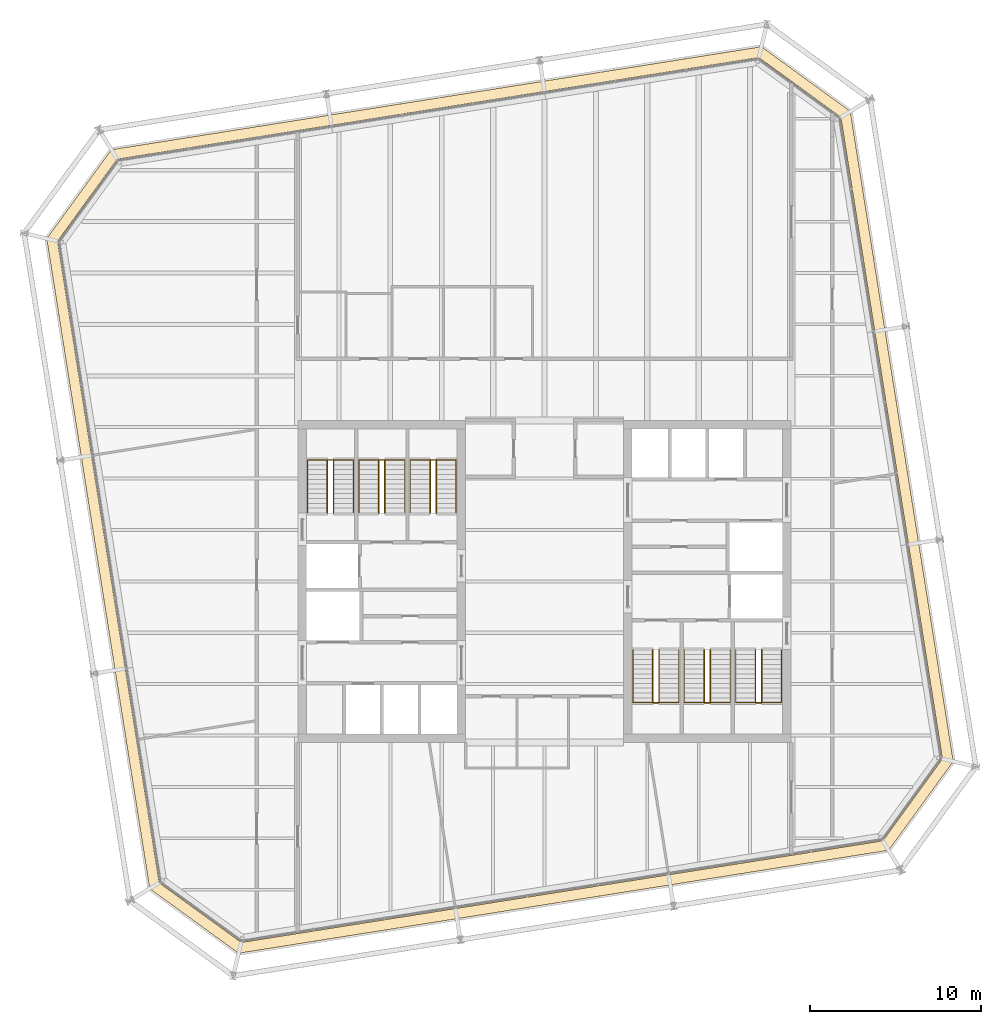
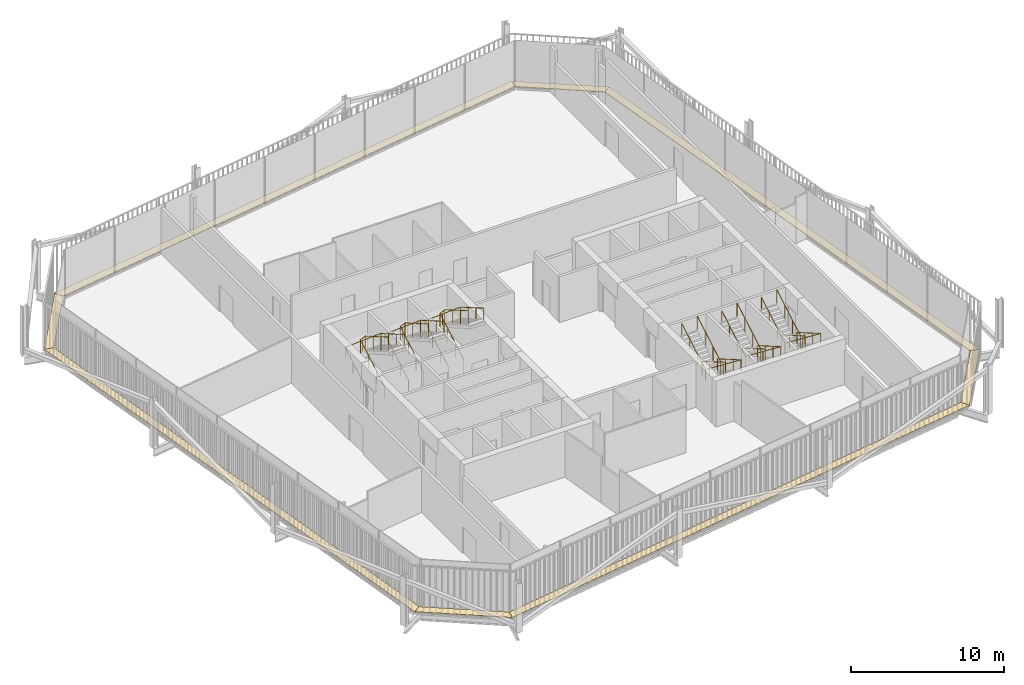
# One storey, part 21 of 21: 12 railings, 8 coverings.
"""IFC4 building model written with IfcOpenShell, lengths in metres."""

import ifcopenshell
import ifcopenshell.guid

model = None  # the IFC model being written
_history = None  # IfcOwnerHistory: only IFC2X3 demands one
_inside = {}  # id of a spatial element -> (the spatial element, [elements in it])
_under = {}  # id of a project, library or spatial element -> (it, [spatial elements below it])
_declared = {}  # id of a project -> (the project, [libraries it declares])
_typed = {}  # id of a type object -> (the type object, [elements of that type])
_made_of = {}  # id of a material, layer set ... -> (it, [elements and type objects made of it])


def new_model(schema):
    """Start an empty IFC model of exactly this schema.

    Asked for "IFC4X3", IfcOpenShell would pick the latest addendum, in which some entities
    have other attributes; the version numbers below select the first issue.
    IFC2X3 requires an IfcOwnerHistory on every rooted entity: one is made here for all.
    """
    global model, _history
    if schema == "IFC4X3":
        model = ifcopenshell.file(schema_version=(4, 3, 0, 0))
    else:
        model = ifcopenshell.file(schema=schema)
    _inside.clear()
    _under.clear()
    _declared.clear()
    _typed.clear()
    _made_of.clear()
    _history = None
    if model.schema == "IFC2X3":
        org = make("IfcOrganization", Name="unknown")
        user = make(
            "IfcPersonAndOrganization",
            ThePerson=make("IfcPerson", FamilyName="unknown"),
            TheOrganization=org,
        )
        app = make(
            "IfcApplication",
            ApplicationDeveloper=org,
            Version="unknown",
            ApplicationFullName="unknown",
            ApplicationIdentifier="unknown",
        )
        _history = make(
            "IfcOwnerHistory",
            OwningUser=user,
            OwningApplication=app,
            ChangeAction="ADDED",
            CreationDate=0,
        )
    return model


def make(cls, **values):
    """One entity of the class cls with the attributes given. An attribute that is None is left unset."""
    return model.create_entity(
        cls, **{name: value for name, value in values.items() if value is not None}
    )


def rooted(cls, **values):
    """An entity with a GlobalId (a new one), such as an element, a storey or a relation."""
    return make(cls, GlobalId=ifcopenshell.guid.new(), OwnerHistory=_history, **values)


def si_unit(unit_type, name, prefix=None):
    """IfcSIUnit, for example si_unit("LENGTHUNIT", "METRE", prefix="MILLI")."""
    return make("IfcSIUnit", UnitType=unit_type, Prefix=prefix, Name=name)


def assignment(units):
    """IfcUnitAssignment: the units of a project."""
    return None if units is None else make("IfcUnitAssignment", Units=units)


def point(xyz):
    """IfcCartesianPoint."""
    return None if xyz is None else make("IfcCartesianPoint", Coordinates=xyz)


def direction(xyz):
    """IfcDirection."""
    return None if xyz is None else make("IfcDirection", DirectionRatios=xyz)


def frame(location, z_axis=None, x_axis=None):
    """IfcAxis2Placement3D, a coordinate frame: its origin and axes. An axis left out is left unset."""
    return make(
        "IfcAxis2Placement3D",
        Location=point(location),
        Axis=direction(z_axis),
        RefDirection=direction(x_axis),
    )


def frame_2d(location, x_axis=None):
    """IfcAxis2Placement2D, a coordinate frame in the plane: its origin and x axis."""
    return make(
        "IfcAxis2Placement2D", Location=point(location), RefDirection=direction(x_axis)
    )


def origin():
    """The frame at (0, 0, 0) with its axes left unset."""
    return frame((0.0, 0.0, 0.0))


def origin_2d():
    """The frame at (0, 0) in the plane with its x axis left unset."""
    return frame_2d((0.0, 0.0))


def place(relative_to, where):
    """IfcLocalPlacement: puts the frame where relative to a parent placement (None: the world)."""
    return make(
        "IfcLocalPlacement", PlacementRelTo=relative_to, RelativePlacement=where
    )


def context(
    kind, dimensions, precision=None, world=None, true_north=None, identifier=None
):
    """IfcGeometricRepresentationContext, for example the 3D "Model" context."""
    return make(
        "IfcGeometricRepresentationContext",
        ContextIdentifier=identifier,
        ContextType=kind,
        CoordinateSpaceDimension=dimensions,
        Precision=precision,
        WorldCoordinateSystem=world,
        TrueNorth=true_north,
    )


def subcontext(parent, identifier, kind, view, scale=None):
    """IfcGeometricRepresentationSubContext, for example "Body" below "Model"."""
    return make(
        "IfcGeometricRepresentationSubContext",
        ContextIdentifier=identifier,
        ContextType=kind,
        ParentContext=parent,
        TargetScale=scale,
        TargetView=view,
    )


def project(units=None, contexts=None):
    """IfcProject with its units and contexts."""
    return rooted(
        "IfcProject",
        Name="project",
        RepresentationContexts=contexts,
        UnitsInContext=assignment(units),
    )


def spatial(cls, under=None, at=None, **own):
    """A site, building, storey or space (cls), placed at a placement, below another one or the project."""
    s = rooted(cls, ObjectPlacement=at, **own)
    if under is not None:
        _under.setdefault(under.id(), (under, []))[1].append(s)
    return s


def polyline(points):
    """IfcPolyline through the points."""
    return make("IfcPolyline", Points=[point(p) for p in points])


def profile(cls, at=None, kind="AREA", **sizes):
    """A parametric profile (cls). Its sizes go by their IFC names, for example OverallWidth=200.0."""
    return make(cls, ProfileType=kind, Position=at, **sizes)


def circle(**sizes):
    """IfcCircleProfileDef."""
    return profile("IfcCircleProfileDef", **sizes)


def outline(outer, holes=None, kind="AREA"):
    """IfcArbitraryClosedProfileDef: a profile drawn as a closed curve; with holes, ...WithVoids."""
    if holes is None:
        return make("IfcArbitraryClosedProfileDef", ProfileType=kind, OuterCurve=outer)
    return make(
        "IfcArbitraryProfileDefWithVoids",
        ProfileType=kind,
        OuterCurve=outer,
        InnerCurves=holes,
    )


def extrude(swept, where, along, depth):
    """IfcExtrudedAreaSolid: the profile swept, set in the frame where, extruded along a direction by depth."""
    return make(
        "IfcExtrudedAreaSolid",
        SweptArea=swept,
        Position=where,
        ExtrudedDirection=direction(along),
        Depth=depth,
    )


def shape(context_of_items, identifier, shape_type, items):
    """IfcShapeRepresentation: the items that make up one representation, for example the "Body"."""
    return make(
        "IfcShapeRepresentation",
        ContextOfItems=context_of_items,
        RepresentationIdentifier=identifier,
        RepresentationType=shape_type,
        Items=items,
    )


def material(Name=None, Category=None):
    """IfcMaterial."""
    return make("IfcMaterial", Name=Name, Category=Category)


def layer(
    of_material, thickness, ventilated=None, Name=None, Category=None, Priority=None
):
    """IfcMaterialLayer: one layer of a wall or slab, of a material (None: an air gap)."""
    return make(
        "IfcMaterialLayer",
        Material=of_material,
        LayerThickness=thickness,
        IsVentilated=ventilated,
        Name=Name,
        Category=Category,
        Priority=Priority,
    )


def layer_set(layers, Name=None):
    """IfcMaterialLayerSet."""
    return make("IfcMaterialLayerSet", MaterialLayers=layers, LayerSetName=Name)


def made_of(thing, what):
    """Note that an element or type object is made of a material, layer set ...; save() writes the relation."""
    if what is not None:
        _made_of.setdefault(what.id(), (what, []))[1].append(thing)
    return thing


def type_object(cls, material=None, **own):
    """A type object (cls), such as IfcWallType, which elements share."""
    return made_of(rooted(cls, **own), material)


def element(
    cls,
    number,
    at=None,
    inside=None,
    cuts=None,
    type_object=None,
    material=None,
    context=None,
    identifier="Body",
    shape_type=None,
    held_by="IfcProductDefinitionShape",
    body=None,
    shapes=None,
    **own,
):
    """One element of the class cls, such as IfcWall. Its Tag is "e" and its number.

    at: its placement. inside: the storey or other place that contains it. cuts: it is an
    opening in that element (IfcRelVoidsElement). A single representation is given by context,
    identifier, shape_type and body (its items); several are given by shapes. held_by: the class
    of the entity that holds the representations. save() writes the other relations.
    """
    e = rooted(cls, Tag="e%d" % number, ObjectPlacement=at, **own)
    if body is not None:
        shapes = [shape(context, identifier, shape_type, body)]
    if shapes is not None:
        e.Representation = make(held_by, Representations=shapes)
    if inside is not None:
        _inside.setdefault(inside.id(), (inside, []))[1].append(e)
    if cuts is not None:
        rooted(
            "IfcRelVoidsElement", RelatingBuildingElement=cuts, RelatedOpeningElement=e
        )
    if type_object is not None:
        _typed.setdefault(type_object.id(), (type_object, []))[1].append(e)
    return made_of(e, material)


def aggregate(whole, parts):
    """IfcRelAggregates: a whole, such as a stair, and the parts it consists of."""
    return rooted("IfcRelAggregates", RelatingObject=whole, RelatedObjects=parts)


def save(model, path):
    """Write the relations noted so far, then the file.

    IfcRelAggregates (storeys below a building ...), IfcRelContainedInSpatialStructure (elements
    in a storey), IfcRelDefinesByType, IfcRelAssociatesMaterial and IfcRelDeclares: one each for
    every whole, place, type object, material and project.
    """
    for whole, parts in _under.values():
        aggregate(whole, parts)
    for where, things in _inside.values():
        rooted(
            "IfcRelContainedInSpatialStructure",
            RelatedElements=things,
            RelatingStructure=where,
        )
    for kind, things in _typed.values():
        rooted("IfcRelDefinesByType", RelatedObjects=things, RelatingType=kind)
    for what, things in _made_of.values():
        rooted("IfcRelAssociatesMaterial", RelatedObjects=things, RelatingMaterial=what)
    for by, libraries in _declared.values():
        rooted("IfcRelDeclares", RelatingContext=by, RelatedDefinitions=libraries)
    model.write(path)


model = new_model("IFC4")

# Units and contexts
model_context = context("Model", 3, precision=1e-05, world=origin(), true_north=direction((0.0, 1.0)))
body_context = subcontext(model_context, "Body", "Model", "MODEL_VIEW")
ifc_project = project(units=[si_unit("LENGTHUNIT", "METRE"), si_unit("AREAUNIT", "SQUARE_METRE"), si_unit("VOLUMEUNIT", "CUBIC_METRE"), si_unit("PLANEANGLEUNIT", "RADIAN"), si_unit("MASSUNIT", "GRAM", prefix="KILO")], contexts=[model_context])

# Site, building, storey
site_placement = place(None, origin())
site = spatial("IfcSite", under=ifc_project, at=site_placement, CompositionType="ELEMENT")
building_placement = place(site_placement, origin())
building = spatial("IfcBuilding", under=site, at=building_placement, Name="Millrace Tower", CompositionType="ELEMENT")
storey_placement = place(building_placement, frame((0.0, 0.0, 263.0)))
storey = spatial("IfcBuildingStorey", under=building, at=storey_placement, Name="L60", CompositionType="ELEMENT", Elevation=263.0)

# Coverings
ifc_material_1 = material(Name="Steel ASTM A36", Category="steel")
ifc_layer = layer(ifc_material_1, 0.050048828125)
ifc_layer_set = layer_set([ifc_layer], Name="Steel ASTM A36")
covering_type = type_object("IfcCoveringType", Name="CAVITY CATWALK steel grating", PredefinedType="FLOORING", material=ifc_layer_set)
placement = place(storey_placement, frame((0.0, 0.0, 0.10009765625)))
element("IfcCovering", 1, at=placement, inside=storey, type_object=covering_type, Name="Cavity catwalk grating D-F01 L60 1", PredefinedType="FLOORING", context=body_context, shape_type="SweptSolid", body=[
    extrude(outline(polyline([(-23.052490234375, -17.939453125), (-17.85888671875, -21.712890625), (-17.707275390625, -21.081298828125), (-22.49853515625, -17.60009765625), (-23.052490234375, -17.939453125)])), origin(), (0.0, 0.0, 1.0), 0.0498046875),
])
element("IfcCovering", 2, at=placement, inside=storey, type_object=covering_type, Name="Cavity catwalk grating D-F02 L60 1", PredefinedType="FLOORING", context=body_context, shape_type="SweptSolid", body=[
    extrude(outline(polyline([(-17.85888671875, -21.712890625), (20.08935546875, -15.702392578125), (19.750244140625, -15.148681640625), (-17.707275390625, -21.081298828125), (-17.85888671875, -21.712890625)])), origin(), (0.0, 0.0, 1.0), 0.0498046875),
])
element("IfcCovering", 3, at=placement, inside=storey, type_object=covering_type, Name="Cavity catwalk grating D-F03 L60 1", PredefinedType="FLOORING", context=body_context, shape_type="SweptSolid", body=[
    extrude(outline(polyline([(20.08935546875, -15.702392578125), (23.86279296875, -10.5087890625), (23.231201171875, -10.357177734375), (19.750244140625, -15.148681640625), (20.08935546875, -15.702392578125)])), origin(), (0.0, 0.0, 1.0), 0.0498046875),
])
element("IfcCovering", 4, at=placement, inside=storey, type_object=covering_type, Name="Cavity catwalk grating D-F04 L60 1", PredefinedType="FLOORING", context=body_context, shape_type="SweptSolid", body=[
    extrude(outline(polyline([(23.86279296875, -10.5087890625), (17.852294921875, 27.439453125), (17.298583984375, 27.10009765625), (23.231201171875, -10.357177734375), (23.86279296875, -10.5087890625)])), origin(), (0.0, 0.0, 1.0), 0.0498046875),
])
element("IfcCovering", 5, at=placement, inside=storey, type_object=covering_type, Name="Cavity catwalk grating D-F05 L60 1", PredefinedType="FLOORING", context=body_context, shape_type="SweptSolid", body=[
    extrude(outline(polyline([(17.852294921875, 27.439453125), (12.658935546875, 31.212890625), (12.50732421875, 30.581298828125), (17.298583984375, 27.10009765625), (17.852294921875, 27.439453125)])), origin(), (0.0, 0.0, 1.0), 0.0498046875),
])
element("IfcCovering", 6, at=placement, inside=storey, type_object=covering_type, Name="Cavity catwalk grating D-F06 L60 1", PredefinedType="FLOORING", context=body_context, shape_type="SweptSolid", body=[
    extrude(outline(polyline([(12.658935546875, 31.212890625), (-25.28955078125, 25.202392578125), (-24.9501953125, 24.648681640625), (12.50732421875, 30.581298828125), (12.658935546875, 31.212890625)])), origin(), (0.0, 0.0, 1.0), 0.0498046875),
])
element("IfcCovering", 7, at=placement, inside=storey, type_object=covering_type, Name="Cavity catwalk grating D-F07 L60 1", PredefinedType="FLOORING", context=body_context, shape_type="SweptSolid", body=[
    extrude(outline(polyline([(-25.28955078125, 25.202392578125), (-29.062744140625, 20.0087890625), (-28.431396484375, 19.857177734375), (-24.9501953125, 24.648681640625), (-25.28955078125, 25.202392578125)])), origin(), (0.0, 0.0, 1.0), 0.0498046875),
])
element("IfcCovering", 8, at=placement, inside=storey, type_object=covering_type, Name="Cavity catwalk grating D-F08 L60 1", PredefinedType="FLOORING", context=body_context, shape_type="SweptSolid", body=[
    extrude(outline(polyline([(-29.062744140625, 20.0087890625), (-23.052490234375, -17.939453125), (-22.49853515625, -17.60009765625), (-28.431396484375, 19.857177734375), (-29.062744140625, 20.0087890625)])), origin(), (0.0, 0.0, 1.0), 0.0498046875),
])

# Railings
ifc_material_2 = material(Name="Stainless steel ASTM A240 type 316", Category="steel")
railing_type_1 = type_object("IfcRailingType", Name="Stair guard 1100", PredefinedType="GUARDRAIL", material=ifc_material_2)
for number, where, name in (
    (9, (-12.679931640625, 4.0, 0.16259765625), "Stair guard 1 W L60"),
    (10, (-9.679931640625, 4.0, 0.16259765625), "Stair guard 2 W L60"),
    (11, (-6.679931640625, 4.0, 0.16259765625), "Stair guard 3 W L60"),
):
    element("IfcRailing", number, at=place(storey_placement, frame(where)), inside=storey, type_object=railing_type_1, Name=name, PredefinedType="GUARDRAIL", context=body_context, shape_type="SweptSolid", body=[
        extrude(circle(Radius=0.02392578125, at=origin_2d()), frame((0.0, 0.0, 1.076171875), z_axis=(0.0, 0.864920483161, 0.501908913857), x_axis=(-1.0, 0.0, 0.0)), (0.0, 0.0, 1.0), 3.56103515625),
        extrude(circle(Radius=0.02392578125, at=origin_2d()), frame((0.0, 3.080078125, 2.86328125), z_axis=(0.911295775139, 0.0, 0.411752365158), x_axis=(0.0, 1.0, 0.0)), (0.0, 0.0, 1.0), 0.394775390625),
        extrude(circle(Radius=0.02392578125, at=origin_2d()), frame((0.35986328125, 3.080078125, 3.02587890625), z_axis=(0.0, -0.864920483161, 0.501908913857), x_axis=(1.0, 0.0, 0.0)), (0.0, 0.0, 1.0), 3.56103515625),
        extrude(circle(Radius=0.02099609375, at=origin_2d()), origin(), (0.0, 0.0, 1.0), 1.052001953125),
        extrude(circle(Radius=0.02099609375, at=origin_2d()), frame((0.0, 1.026611328125, 0.595703125)), (0.0, 0.0, 1.0), 1.052001953125),
        extrude(circle(Radius=0.02099609375, at=origin_2d()), frame((0.0, 2.053466796875, 1.191650390625)), (0.0, 0.0, 1.0), 1.052001953125),
        extrude(circle(Radius=0.02099609375, at=origin_2d()), frame((0.0, 3.080078125, 1.787353515625)), (0.0, 0.0, 1.0), 1.052001953125),
        extrude(circle(Radius=0.02099609375, at=origin_2d()), frame((0.35986328125, 3.080078125, 1.949951171875)), (0.0, 0.0, 1.0), 1.052001953125),
        extrude(circle(Radius=0.02099609375, at=origin_2d()), frame((0.35986328125, 2.053466796875, 2.545654296875)), (0.0, 0.0, 1.0), 1.052001953125),
        extrude(circle(Radius=0.02099609375, at=origin_2d()), frame((0.35986328125, 1.026611328125, 3.1416015625)), (0.0, 0.0, 1.0), 1.052001953125),
        extrude(circle(Radius=0.02099609375, at=origin_2d()), frame((0.35986328125, 0.0, 3.7373046875)), (0.0, 0.0, 1.0), 1.052001953125),
    ])
for number, where, name in (
    (12, (12.679931640625, -4.0, 0.16259765625), "Stair guard 1 E L60"),
    (13, (9.679931640625, -4.0, 0.16259765625), "Stair guard 2 E L60"),
    (14, (6.679931640625, -4.0, 0.16259765625), "Stair guard 3 E L60"),
):
    element("IfcRailing", number, at=place(storey_placement, frame(where)), inside=storey, type_object=railing_type_1, Name=name, PredefinedType="GUARDRAIL", context=body_context, shape_type="SweptSolid", body=[
        extrude(circle(Radius=0.02392578125, at=origin_2d()), frame((0.0, 0.0, 1.076171875), z_axis=(0.0, -0.864920483161, 0.501908913857), x_axis=(1.0, 0.0, 0.0)), (0.0, 0.0, 1.0), 3.56103515625),
        extrude(circle(Radius=0.02392578125, at=origin_2d()), frame((0.0, -3.080078125, 2.86328125), z_axis=(-0.911295775139, 0.0, 0.411752365158), x_axis=(0.0, -1.0, 0.0)), (0.0, 0.0, 1.0), 0.394775390625),
        extrude(circle(Radius=0.02392578125, at=origin_2d()), frame((-0.35986328125, -3.080078125, 3.02587890625), z_axis=(0.0, 0.864920483161, 0.501908913857), x_axis=(-1.0, 0.0, 0.0)), (0.0, 0.0, 1.0), 3.56103515625),
        extrude(circle(Radius=0.02099609375, at=origin_2d()), origin(), (0.0, 0.0, 1.0), 1.052001953125),
        extrude(circle(Radius=0.02099609375, at=origin_2d()), frame((0.0, -1.026611328125, 0.595703125)), (0.0, 0.0, 1.0), 1.052001953125),
        extrude(circle(Radius=0.02099609375, at=origin_2d()), frame((0.0, -2.053466796875, 1.191650390625)), (0.0, 0.0, 1.0), 1.052001953125),
        extrude(circle(Radius=0.02099609375, at=origin_2d()), frame((0.0, -3.080078125, 1.787353515625)), (0.0, 0.0, 1.0), 1.052001953125),
        extrude(circle(Radius=0.02099609375, at=origin_2d()), frame((-0.35986328125, -3.080078125, 1.949951171875)), (0.0, 0.0, 1.0), 1.052001953125),
        extrude(circle(Radius=0.02099609375, at=origin_2d()), frame((-0.35986328125, -2.053466796875, 2.545654296875)), (0.0, 0.0, 1.0), 1.052001953125),
        extrude(circle(Radius=0.02099609375, at=origin_2d()), frame((-0.35986328125, -1.026611328125, 3.1416015625)), (0.0, 0.0, 1.0), 1.052001953125),
        extrude(circle(Radius=0.02099609375, at=origin_2d()), frame((-0.35986328125, 0.0, 3.7373046875)), (0.0, 0.0, 1.0), 1.052001953125),
    ])
ifc_material_3 = material(Name="Stainless steel ASTM A240 type 316", Category="steel")
railing_type_2 = type_object("IfcRailingType", Name="Stair handrail 900", PredefinedType="HANDRAIL", material=ifc_material_3)
railing_1_placement = place(storey_placement, frame((-13.840087890625, 4.0, 0.16259765625)))
element("IfcRailing", 15, at=railing_1_placement, inside=storey, type_object=railing_type_2, Name="Stair handrail 1 W L60", PredefinedType="HANDRAIL", context=body_context, shape_type="SweptSolid", body=[
    extrude(circle(Radius=0.02392578125, at=origin_2d()), frame((0.0, 0.0, 0.8759765625), z_axis=(0.0, 0.864920483161, 0.501908913857), x_axis=(-1.0, 0.0, 0.0)), (0.0, 0.0, 1.0), 3.56103515625),
    extrude(circle(Radius=0.02392578125, at=origin_2d()), frame((0.0, 3.080078125, 2.6630859375), z_axis=(0.998164834547, 0.0, 0.060555454528), x_axis=(0.0, 1.0, 0.0)), (0.0, 0.0, 1.0), 2.68505859375),
    extrude(circle(Radius=0.02392578125, at=origin_2d()), frame((2.68017578125, 3.080078125, 2.82568359375), z_axis=(0.0, -0.864920483161, 0.501908913857), x_axis=(1.0, 0.0, 0.0)), (0.0, 0.0, 1.0), 3.56103515625),
    extrude(circle(Radius=0.02099609375, at=origin_2d()), origin(), (0.0, 0.0, 1.0), 0.851806640625),
    extrude(circle(Radius=0.02099609375, at=origin_2d()), frame((0.0, 1.026611328125, 0.595703125)), (0.0, 0.0, 1.0), 0.851806640625),
    extrude(circle(Radius=0.02099609375, at=origin_2d()), frame((0.0, 2.053466796875, 1.191650390625)), (0.0, 0.0, 1.0), 0.851806640625),
    extrude(circle(Radius=0.02099609375, at=origin_2d()), frame((0.0, 3.080078125, 1.787353515625)), (0.0, 0.0, 1.0), 0.851806640625),
    extrude(circle(Radius=0.02099609375, at=origin_2d()), frame((1.340087890625, 3.080078125, 1.86865234375)), (0.0, 0.0, 1.0), 0.851806640625),
    extrude(circle(Radius=0.02099609375, at=origin_2d()), frame((2.68017578125, 3.080078125, 1.949951171875)), (0.0, 0.0, 1.0), 0.851806640625),
    extrude(circle(Radius=0.02099609375, at=origin_2d()), frame((2.68017578125, 2.053466796875, 2.545654296875)), (0.0, 0.0, 1.0), 0.851806640625),
    extrude(circle(Radius=0.02099609375, at=origin_2d()), frame((2.68017578125, 1.026611328125, 3.1416015625)), (0.0, 0.0, 1.0), 0.851806640625),
    extrude(circle(Radius=0.02099609375, at=origin_2d()), frame((2.68017578125, 0.0, 3.7373046875)), (0.0, 0.0, 1.0), 0.851806640625),
])
railing_2_placement = place(storey_placement, frame((-10.840087890625, 4.0, 0.16259765625)))
element("IfcRailing", 16, at=railing_2_placement, inside=storey, type_object=railing_type_2, Name="Stair handrail 2 W L60", PredefinedType="HANDRAIL", context=body_context, shape_type="SweptSolid", body=[
    extrude(circle(Radius=0.02392578125, at=origin_2d()), frame((0.0, 0.0, 0.8759765625), z_axis=(0.0, 0.864920483161, 0.501908913857), x_axis=(-1.0, 0.0, 0.0)), (0.0, 0.0, 1.0), 3.56103515625),
    extrude(circle(Radius=0.02392578125, at=origin_2d()), frame((0.0, 3.080078125, 2.6630859375), z_axis=(0.998164834547, 0.0, 0.060555454528), x_axis=(0.0, 1.0, 0.0)), (0.0, 0.0, 1.0), 2.68505859375),
    extrude(circle(Radius=0.02392578125, at=origin_2d()), frame((2.68017578125, 3.080078125, 2.82568359375), z_axis=(0.0, -0.864920483161, 0.501908913857), x_axis=(1.0, 0.0, 0.0)), (0.0, 0.0, 1.0), 3.56103515625),
    extrude(circle(Radius=0.02099609375, at=origin_2d()), origin(), (0.0, 0.0, 1.0), 0.851806640625),
    extrude(circle(Radius=0.02099609375, at=origin_2d()), frame((0.0, 1.026611328125, 0.595703125)), (0.0, 0.0, 1.0), 0.851806640625),
    extrude(circle(Radius=0.02099609375, at=origin_2d()), frame((0.0, 2.053466796875, 1.191650390625)), (0.0, 0.0, 1.0), 0.851806640625),
    extrude(circle(Radius=0.02099609375, at=origin_2d()), frame((0.0, 3.080078125, 1.787353515625)), (0.0, 0.0, 1.0), 0.851806640625),
    extrude(circle(Radius=0.02099609375, at=origin_2d()), frame((1.340087890625, 3.080078125, 1.86865234375)), (0.0, 0.0, 1.0), 0.851806640625),
    extrude(circle(Radius=0.02099609375, at=origin_2d()), frame((2.68017578125, 3.080078125, 1.949951171875)), (0.0, 0.0, 1.0), 0.851806640625),
    extrude(circle(Radius=0.02099609375, at=origin_2d()), frame((2.68017578125, 2.053466796875, 2.545654296875)), (0.0, 0.0, 1.0), 0.851806640625),
    extrude(circle(Radius=0.02099609375, at=origin_2d()), frame((2.68017578125, 1.026611328125, 3.1416015625)), (0.0, 0.0, 1.0), 0.851806640625),
    extrude(circle(Radius=0.02099609375, at=origin_2d()), frame((2.68017578125, 0.0, 3.7373046875)), (0.0, 0.0, 1.0), 0.851806640625),
])
railing_3_placement = place(storey_placement, frame((-7.840087890625, 4.0, 0.16259765625)))
element("IfcRailing", 17, at=railing_3_placement, inside=storey, type_object=railing_type_2, Name="Stair handrail 3 W L60", PredefinedType="HANDRAIL", context=body_context, shape_type="SweptSolid", body=[
    extrude(circle(Radius=0.02392578125, at=origin_2d()), frame((0.0, 0.0, 0.8759765625), z_axis=(0.0, 0.864920483161, 0.501908913857), x_axis=(-1.0, 0.0, 0.0)), (0.0, 0.0, 1.0), 3.56103515625),
    extrude(circle(Radius=0.02392578125, at=origin_2d()), frame((0.0, 3.080078125, 2.6630859375), z_axis=(0.998164834547, 0.0, 0.060555454528), x_axis=(0.0, 1.0, 0.0)), (0.0, 0.0, 1.0), 2.68505859375),
    extrude(circle(Radius=0.02392578125, at=origin_2d()), frame((2.68017578125, 3.080078125, 2.82568359375), z_axis=(0.0, -0.864920483161, 0.501908913857), x_axis=(1.0, 0.0, 0.0)), (0.0, 0.0, 1.0), 3.56103515625),
    extrude(circle(Radius=0.02099609375, at=origin_2d()), origin(), (0.0, 0.0, 1.0), 0.851806640625),
    extrude(circle(Radius=0.02099609375, at=origin_2d()), frame((0.0, 1.026611328125, 0.595703125)), (0.0, 0.0, 1.0), 0.851806640625),
    extrude(circle(Radius=0.02099609375, at=origin_2d()), frame((0.0, 2.053466796875, 1.191650390625)), (0.0, 0.0, 1.0), 0.851806640625),
    extrude(circle(Radius=0.02099609375, at=origin_2d()), frame((0.0, 3.080078125, 1.787353515625)), (0.0, 0.0, 1.0), 0.851806640625),
    extrude(circle(Radius=0.02099609375, at=origin_2d()), frame((1.340087890625, 3.080078125, 1.86865234375)), (0.0, 0.0, 1.0), 0.851806640625),
    extrude(circle(Radius=0.02099609375, at=origin_2d()), frame((2.68017578125, 3.080078125, 1.949951171875)), (0.0, 0.0, 1.0), 0.851806640625),
    extrude(circle(Radius=0.02099609375, at=origin_2d()), frame((2.68017578125, 2.053466796875, 2.545654296875)), (0.0, 0.0, 1.0), 0.851806640625),
    extrude(circle(Radius=0.02099609375, at=origin_2d()), frame((2.68017578125, 1.026611328125, 3.1416015625)), (0.0, 0.0, 1.0), 0.851806640625),
    extrude(circle(Radius=0.02099609375, at=origin_2d()), frame((2.68017578125, 0.0, 3.7373046875)), (0.0, 0.0, 1.0), 0.851806640625),
])
railing_4_placement = place(storey_placement, frame((13.840087890625, -4.0, 0.16259765625)))
element("IfcRailing", 18, at=railing_4_placement, inside=storey, type_object=railing_type_2, Name="Stair handrail 1 E L60", PredefinedType="HANDRAIL", context=body_context, shape_type="SweptSolid", body=[
    extrude(circle(Radius=0.02392578125, at=origin_2d()), frame((0.0, 0.0, 0.8759765625), z_axis=(0.0, -0.864920483161, 0.501908913857), x_axis=(1.0, 0.0, 0.0)), (0.0, 0.0, 1.0), 3.56103515625),
    extrude(circle(Radius=0.02392578125, at=origin_2d()), frame((0.0, -3.080078125, 2.6630859375), z_axis=(-0.998164834547, 0.0, 0.060555454528), x_axis=(0.0, -1.0, 0.0)), (0.0, 0.0, 1.0), 2.68505859375),
    extrude(circle(Radius=0.02392578125, at=origin_2d()), frame((-2.68017578125, -3.080078125, 2.82568359375), z_axis=(0.0, 0.864920483161, 0.501908913857), x_axis=(-1.0, 0.0, 0.0)), (0.0, 0.0, 1.0), 3.56103515625),
    extrude(circle(Radius=0.02099609375, at=origin_2d()), origin(), (0.0, 0.0, 1.0), 0.851806640625),
    extrude(circle(Radius=0.02099609375, at=origin_2d()), frame((0.0, -1.026611328125, 0.595703125)), (0.0, 0.0, 1.0), 0.851806640625),
    extrude(circle(Radius=0.02099609375, at=origin_2d()), frame((0.0, -2.053466796875, 1.191650390625)), (0.0, 0.0, 1.0), 0.851806640625),
    extrude(circle(Radius=0.02099609375, at=origin_2d()), frame((0.0, -3.080078125, 1.787353515625)), (0.0, 0.0, 1.0), 0.851806640625),
    extrude(circle(Radius=0.02099609375, at=origin_2d()), frame((-1.340087890625, -3.080078125, 1.86865234375)), (0.0, 0.0, 1.0), 0.851806640625),
    extrude(circle(Radius=0.02099609375, at=origin_2d()), frame((-2.68017578125, -3.080078125, 1.949951171875)), (0.0, 0.0, 1.0), 0.851806640625),
    extrude(circle(Radius=0.02099609375, at=origin_2d()), frame((-2.68017578125, -2.053466796875, 2.545654296875)), (0.0, 0.0, 1.0), 0.851806640625),
    extrude(circle(Radius=0.02099609375, at=origin_2d()), frame((-2.68017578125, -1.026611328125, 3.1416015625)), (0.0, 0.0, 1.0), 0.851806640625),
    extrude(circle(Radius=0.02099609375, at=origin_2d()), frame((-2.68017578125, 0.0, 3.7373046875)), (0.0, 0.0, 1.0), 0.851806640625),
])
railing_5_placement = place(storey_placement, frame((10.840087890625, -4.0, 0.16259765625)))
element("IfcRailing", 19, at=railing_5_placement, inside=storey, type_object=railing_type_2, Name="Stair handrail 2 E L60", PredefinedType="HANDRAIL", context=body_context, shape_type="SweptSolid", body=[
    extrude(circle(Radius=0.02392578125, at=origin_2d()), frame((0.0, 0.0, 0.8759765625), z_axis=(0.0, -0.864920483161, 0.501908913857), x_axis=(1.0, 0.0, 0.0)), (0.0, 0.0, 1.0), 3.56103515625),
    extrude(circle(Radius=0.02392578125, at=origin_2d()), frame((0.0, -3.080078125, 2.6630859375), z_axis=(-0.998164834547, 0.0, 0.060555454528), x_axis=(0.0, -1.0, 0.0)), (0.0, 0.0, 1.0), 2.68505859375),
    extrude(circle(Radius=0.02392578125, at=origin_2d()), frame((-2.68017578125, -3.080078125, 2.82568359375), z_axis=(0.0, 0.864920483161, 0.501908913857), x_axis=(-1.0, 0.0, 0.0)), (0.0, 0.0, 1.0), 3.56103515625),
    extrude(circle(Radius=0.02099609375, at=origin_2d()), origin(), (0.0, 0.0, 1.0), 0.851806640625),
    extrude(circle(Radius=0.02099609375, at=origin_2d()), frame((0.0, -1.026611328125, 0.595703125)), (0.0, 0.0, 1.0), 0.851806640625),
    extrude(circle(Radius=0.02099609375, at=origin_2d()), frame((0.0, -2.053466796875, 1.191650390625)), (0.0, 0.0, 1.0), 0.851806640625),
    extrude(circle(Radius=0.02099609375, at=origin_2d()), frame((0.0, -3.080078125, 1.787353515625)), (0.0, 0.0, 1.0), 0.851806640625),
    extrude(circle(Radius=0.02099609375, at=origin_2d()), frame((-1.340087890625, -3.080078125, 1.86865234375)), (0.0, 0.0, 1.0), 0.851806640625),
    extrude(circle(Radius=0.02099609375, at=origin_2d()), frame((-2.68017578125, -3.080078125, 1.949951171875)), (0.0, 0.0, 1.0), 0.851806640625),
    extrude(circle(Radius=0.02099609375, at=origin_2d()), frame((-2.68017578125, -2.053466796875, 2.545654296875)), (0.0, 0.0, 1.0), 0.851806640625),
    extrude(circle(Radius=0.02099609375, at=origin_2d()), frame((-2.68017578125, -1.026611328125, 3.1416015625)), (0.0, 0.0, 1.0), 0.851806640625),
    extrude(circle(Radius=0.02099609375, at=origin_2d()), frame((-2.68017578125, 0.0, 3.7373046875)), (0.0, 0.0, 1.0), 0.851806640625),
])
railing_6_placement = place(storey_placement, frame((7.840087890625, -4.0, 0.16259765625)))
element("IfcRailing", 20, at=railing_6_placement, inside=storey, type_object=railing_type_2, Name="Stair handrail 3 E L60", PredefinedType="HANDRAIL", context=body_context, shape_type="SweptSolid", body=[
    extrude(circle(Radius=0.02392578125, at=origin_2d()), frame((0.0, 0.0, 0.8759765625), z_axis=(0.0, -0.864920483161, 0.501908913857), x_axis=(1.0, 0.0, 0.0)), (0.0, 0.0, 1.0), 3.56103515625),
    extrude(circle(Radius=0.02392578125, at=origin_2d()), frame((0.0, -3.080078125, 2.6630859375), z_axis=(-0.998164834547, 0.0, 0.060555454528), x_axis=(0.0, -1.0, 0.0)), (0.0, 0.0, 1.0), 2.68505859375),
    extrude(circle(Radius=0.02392578125, at=origin_2d()), frame((-2.68017578125, -3.080078125, 2.82568359375), z_axis=(0.0, 0.864920483161, 0.501908913857), x_axis=(-1.0, 0.0, 0.0)), (0.0, 0.0, 1.0), 3.56103515625),
    extrude(circle(Radius=0.02099609375, at=origin_2d()), origin(), (0.0, 0.0, 1.0), 0.851806640625),
    extrude(circle(Radius=0.02099609375, at=origin_2d()), frame((0.0, -1.026611328125, 0.595703125)), (0.0, 0.0, 1.0), 0.851806640625),
    extrude(circle(Radius=0.02099609375, at=origin_2d()), frame((0.0, -2.053466796875, 1.191650390625)), (0.0, 0.0, 1.0), 0.851806640625),
    extrude(circle(Radius=0.02099609375, at=origin_2d()), frame((0.0, -3.080078125, 1.787353515625)), (0.0, 0.0, 1.0), 0.851806640625),
    extrude(circle(Radius=0.02099609375, at=origin_2d()), frame((-1.340087890625, -3.080078125, 1.86865234375)), (0.0, 0.0, 1.0), 0.851806640625),
    extrude(circle(Radius=0.02099609375, at=origin_2d()), frame((-2.68017578125, -3.080078125, 1.949951171875)), (0.0, 0.0, 1.0), 0.851806640625),
    extrude(circle(Radius=0.02099609375, at=origin_2d()), frame((-2.68017578125, -2.053466796875, 2.545654296875)), (0.0, 0.0, 1.0), 0.851806640625),
    extrude(circle(Radius=0.02099609375, at=origin_2d()), frame((-2.68017578125, -1.026611328125, 3.1416015625)), (0.0, 0.0, 1.0), 0.851806640625),
    extrude(circle(Radius=0.02099609375, at=origin_2d()), frame((-2.68017578125, 0.0, 3.7373046875)), (0.0, 0.0, 1.0), 0.851806640625),
])

save(model, "model.ifc")
